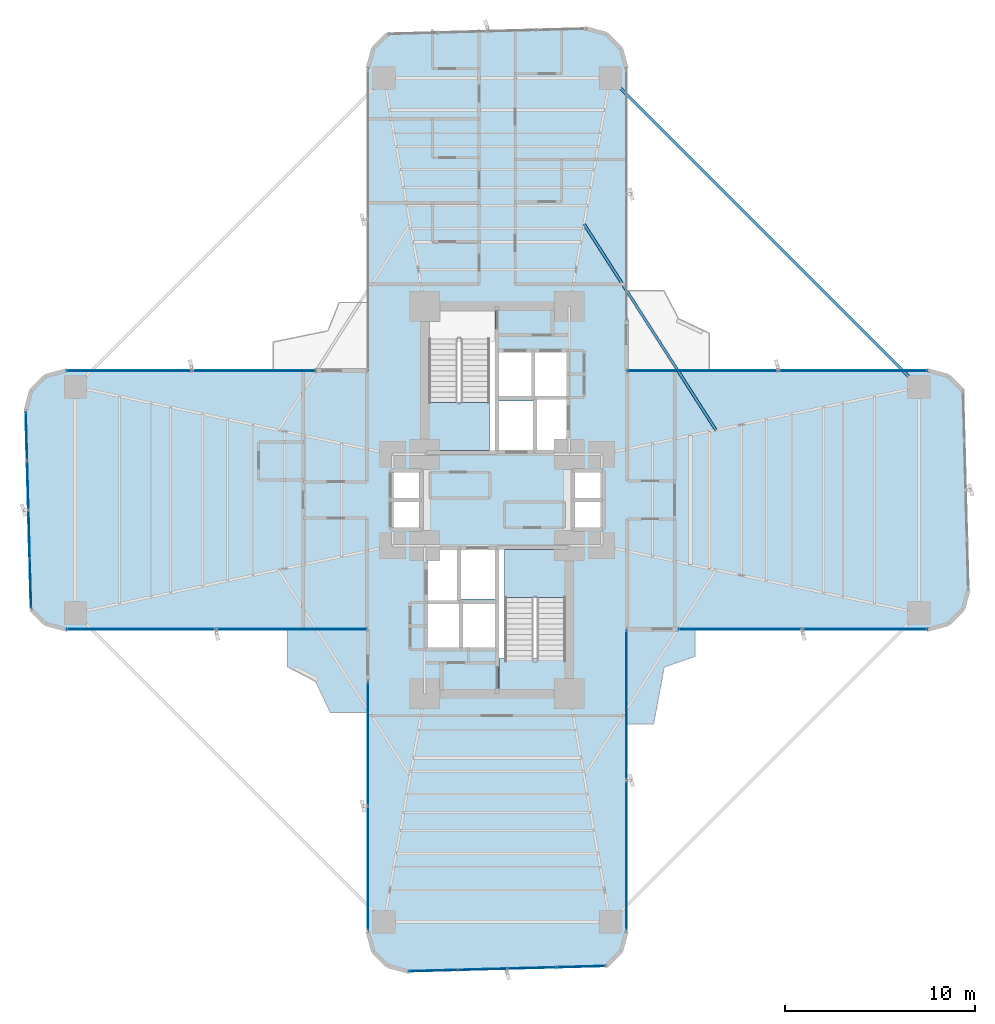
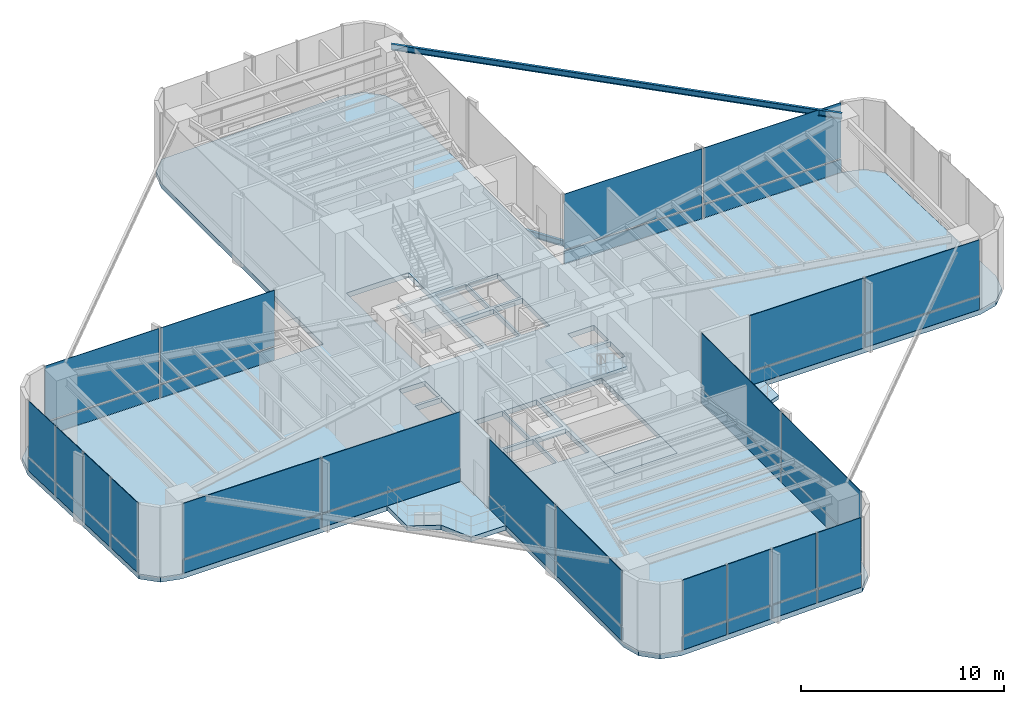
# One storey, part 13 of 20: 40 plates, 6 slabs, 2 beams, 10 elements without a shape of their own.
"""IFC4 building model written with IfcOpenShell, lengths in metres."""

from ifc_helpers import new_model, si_unit, direction, frame, origin, origin_2d, place, context, subcontext, project, spatial, polyline, rectangle, i_section, outline, extrude, source, transform, mapped, material, layer, layer_set, material_profile, profile_set, type_object, element, aggregate, save


model = new_model("IFC4")

# Units and contexts
model_context = context("Model", 3, precision=1e-05, world=origin(), true_north=direction((0.0, 1.0)))
body_context = subcontext(model_context, "Body", "Model", "MODEL_VIEW")
ifc_project = project(units=[si_unit("LENGTHUNIT", "METRE"), si_unit("AREAUNIT", "SQUARE_METRE"), si_unit("VOLUMEUNIT", "CUBIC_METRE"), si_unit("PLANEANGLEUNIT", "RADIAN"), si_unit("MASSUNIT", "GRAM", prefix="KILO")], contexts=[model_context])

# Site, building, storey
site_placement = place(None, origin())
site = spatial("IfcSite", under=ifc_project, at=site_placement, CompositionType="ELEMENT")
building_placement = place(site_placement, origin())
building = spatial("IfcBuilding", under=site, at=building_placement, Name="Sahyath Konkavel Grand Hotel", CompositionType="ELEMENT")
storey_placement = place(building_placement, frame((0.0, 0.0, 46.550048828125)))
storey = spatial("IfcBuildingStorey", under=building, at=storey_placement, Name="L12", CompositionType="ELEMENT", Elevation=46.550048828125)

# Beams
ifc_material_1 = material(Name="Steel E350", Category="steel")
ifc_material_profile_1 = material_profile(ifc_material_1, i_section(OverallWidth=0.139892578125, OverallDepth=0.35009765625, WebThickness=0.008056640625, FlangeThickness=0.01416015625, FilletRadius=0.013916015625, at=origin_2d()), Name="ISMB 350")
ifc_profile_set_1 = profile_set([ifc_material_profile_1], Name="Steel E350")
beam_type_1 = type_object("IfcBeamType", Name="BM-ISMB350", PredefinedType="BEAM", material=ifc_profile_set_1)
shared_shape_1 = source(origin(), body_context, "Body", "SweptSolid", [
    extrude(i_section(OverallWidth=0.139892578125, OverallDepth=0.35009765625, WebThickness=0.008056640625, FlangeThickness=0.01416015625, FilletRadius=0.013916015625, at=origin_2d()), origin(), (0.0, 0.0, 1.0), 22.98095703125),
])
beam_1_placement = place(storey_placement, frame((22.199951171875, 5.949951171875, 4.0849609375), z_axis=(-0.707106781187, 0.707106781187, 0.0), x_axis=(-0.707106781187, -0.707106781187, 0.0)))
element("IfcBeam", 1, at=beam_1_placement, inside=storey, type_object=beam_type_1, Name="L12 Re-Entrant Tie Beam NE", PredefinedType="BEAM", context=body_context, shape_type="MappedRepresentation", body=[
    mapped(shared_shape_1, transform((0.0, 0.0, 0.0), scale=1.0)),
])
ifc_material_profile_2 = material_profile(ifc_material_1, i_section(OverallWidth=0.139892578125, OverallDepth=0.35009765625, WebThickness=0.008056640625, FlangeThickness=0.01416015625, FilletRadius=0.013916015625, at=origin_2d()), Name="ISMB 350")
ifc_profile_set_2 = profile_set([ifc_material_profile_2], Name="Steel E350")
beam_type_2 = type_object("IfcBeamType", Name="BM-BALC-CANT", PredefinedType="BEAM", material=ifc_profile_set_2)
shared_shape_2 = source(origin(), body_context, "Body", "SweptSolid", [
    extrude(i_section(OverallWidth=0.139892578125, OverallDepth=0.35009765625, WebThickness=0.008056640625, FlangeThickness=0.01416015625, FilletRadius=0.013916015625, at=origin_2d()), origin(), (0.0, 0.0, 1.0), 12.871826171875),
])
beam_2_placement = place(storey_placement, frame((11.511962890625, 3.677978515625, -0.47509765625), z_axis=(-0.539003102535, 0.842303778608, 0.0), x_axis=(-0.842303778608, -0.539003102535, 0.0)))
element("IfcBeam", 2, at=beam_2_placement, inside=storey, type_object=beam_type_2, Name="L12 Balcony Cantilever Support Beam NE", PredefinedType="BEAM", context=body_context, shape_type="MappedRepresentation", body=[
    mapped(shared_shape_2, transform((0.0, 0.0, 0.0), scale=1.0)),
])

# Slabs
ifc_material_2 = material(Name="Concrete C40/50", Category="concrete")
ifc_layer_1 = layer(ifc_material_2, 0.300048828125)
ifc_layer_set_1 = layer_set([ifc_layer_1], Name="Concrete C40/50")
slab_type_1 = type_object("IfcSlabType", Name="SLB-300", PredefinedType="FLOOR", material=ifc_layer_set_1)
slab_1_placement = place(storey_placement, frame((0.0, 0.0, -0.300048828125)))
element("IfcSlab", 3, at=slab_1_placement, inside=storey, type_object=slab_type_1, Name="L12 Structural Floor Slab", PredefinedType="FLOOR", context=body_context, shape_type="SweptSolid", body=[
    extrude(outline(polyline([(6.800048828125, -6.800048828125), (22.699951171875, -6.800048828125), (23.75, -6.518798828125), (24.518798828125, -5.75), (24.800048828125, -4.699951171875), (24.518798828125, 5.75), (23.75, 6.518798828125), (22.699951171875, 6.800048828125), (6.800048828125, 6.800048828125), (6.800048828125, 22.699951171875), (6.518798828125, 23.75), (5.75, 24.518798828125), (4.699951171875, 24.800048828125), (-5.75, 24.518798828125), (-6.518798828125, 23.75), (-6.800048828125, 22.699951171875), (-6.800048828125, 6.800048828125), (-22.699951171875, 6.800048828125), (-23.75, 6.518798828125), (-24.518798828125, 5.75), (-24.800048828125, 4.699951171875), (-24.518798828125, -5.75), (-23.75, -6.518798828125), (-22.699951171875, -6.800048828125), (-6.800048828125, -6.800048828125), (-6.800048828125, -22.699951171875), (-6.518798828125, -23.75), (-5.75, -24.518798828125), (-4.699951171875, -24.800048828125), (5.75, -24.518798828125), (6.518798828125, -23.75), (6.800048828125, -22.699951171875), (6.800048828125, -6.800048828125)]), holes=[polyline([(-3.6201171875, 2.580078125), (-0.10009765625, 2.580078125), (-0.10009765625, 10.02001953125), (-3.6201171875, 10.02001953125), (-3.6201171875, 2.580078125)]), polyline([(0.10009765625, -10.02001953125), (3.6201171875, -10.02001953125), (3.6201171875, -2.580078125), (0.10009765625, -2.580078125), (0.10009765625, -10.02001953125)]), polyline([(0.10009765625, 2.60009765625), (1.949951171875, 2.60009765625), (1.949951171875, 5.199951171875), (0.10009765625, 5.199951171875), (0.10009765625, 2.60009765625)]), polyline([(-1.949951171875, -5.199951171875), (-0.10009765625, -5.199951171875), (-0.10009765625, -2.60009765625), (-1.949951171875, -2.60009765625), (-1.949951171875, -5.199951171875)]), polyline([(2.050048828125, 2.60009765625), (3.64990234375, 2.60009765625), (3.64990234375, 5.300048828125), (2.050048828125, 5.300048828125), (2.050048828125, 2.60009765625)]), polyline([(-3.64990234375, -5.300048828125), (-2.050048828125, -5.300048828125), (-2.050048828125, -2.60009765625), (-3.64990234375, -2.60009765625), (-3.64990234375, -5.300048828125)]), polyline([(0.10009765625, 5.449951171875), (1.85009765625, 5.449951171875), (1.85009765625, 7.75), (0.10009765625, 7.75), (0.10009765625, 5.449951171875)]), polyline([(1.949951171875, 5.449951171875), (3.64990234375, 5.449951171875), (3.64990234375, 7.75), (1.949951171875, 7.75), (1.949951171875, 5.449951171875)]), polyline([(-3.64990234375, -7.75), (-1.949951171875, -7.75), (-1.949951171875, -5.449951171875), (-3.64990234375, -5.449951171875), (-3.64990234375, -7.75)]), polyline([(-1.85009765625, -7.75), (-0.10009765625, -7.75), (-0.10009765625, -5.449951171875), (-1.85009765625, -5.449951171875), (-1.85009765625, -7.75)]), polyline([(4.050048828125, 0.080078125), (5.550048828125, 0.080078125), (5.550048828125, 1.5400390625), (4.050048828125, 1.5400390625), (4.050048828125, 0.080078125)]), polyline([(4.050048828125, -1.5400390625), (5.550048828125, -1.5400390625), (5.550048828125, -0.080078125), (4.050048828125, -0.080078125), (4.050048828125, -1.5400390625)]), polyline([(-5.550048828125, 0.080078125), (-4.050048828125, 0.080078125), (-4.050048828125, 1.5400390625), (-5.550048828125, 1.5400390625), (-5.550048828125, 0.080078125)]), polyline([(-5.550048828125, -1.5400390625), (-4.050048828125, -1.5400390625), (-4.050048828125, -0.080078125), (-5.550048828125, -0.080078125), (-5.550048828125, -1.5400390625)])]), origin(), (0.0, 0.0, 1.0), 0.300048828125),
])
ifc_layer_2 = layer(ifc_material_2, 0.219970703125)
ifc_layer_set_2 = layer_set([ifc_layer_2], Name="Concrete C40/50")
slab_type_2 = type_object("IfcSlabType", Name="SLB-BALCONY-220", PredefinedType="FLOOR", material=ifc_layer_set_2)
slab_2_placement = place(storey_placement, frame((0.0, 0.0, -0.219970703125)))
element("IfcSlab", 4, at=slab_2_placement, inside=storey, type_object=slab_type_2, Name="L12 Winter-Garden Balcony SE", PredefinedType="FLOOR", context=body_context, shape_type="SweptSolid", body=[
    extrude(outline(polyline([(6.800048828125, -6.800048828125), (6.800048828125, -11.7958984375), (8.23291015625, -11.7958984375), (8.7900390625, -8.7900390625), (10.404052734375, -8.23291015625), (10.404052734375, -6.800048828125), (6.800048828125, -6.800048828125)])), origin(), (0.0, 0.0, 1.0), 0.219970703125),
])
ifc_layer_3 = layer(ifc_material_2, 0.280029296875)
ifc_layer_set_3 = layer_set([ifc_layer_3], Name="Concrete C40/50")
slab_type_3 = type_object("IfcSlabType", Name="SLB-SKYGARDEN-280", PredefinedType="ROOF", material=ifc_layer_set_3)
slab_3_placement = place(storey_placement, frame((0.0, 0.0, -0.280029296875)))
element("IfcSlab", 5, at=slab_3_placement, inside=storey, type_object=slab_type_3, Name="L12 Planted Sky Garden Terrace SW", PredefinedType="ROOF", context=body_context, shape_type="SweptSolid", body=[
    extrude(outline(polyline([(-6.800048828125, -6.800048828125), (-11.02294921875, -6.800048828125), (-11.02294921875, -8.780029296875), (-9.550048828125, -9.550048828125), (-8.780029296875, -11.177001953125), (-6.800048828125, -11.177001953125), (-6.800048828125, -6.800048828125)])), origin(), (0.0, 0.0, 1.0), 0.280029296875),
])

# Stair, slab
stair_type = type_object("IfcStairType", Name="STR-ST16-450", PredefinedType="HALF_TURN_STAIR", material=ifc_material_2)
stair_1_placement = place(storey_placement, origin())
stair_1 = element("IfcStair", 6, at=stair_1_placement, inside=storey, type_object=stair_type, Name="L12 North Core Smokeproof Exit Stair ST-1", PredefinedType="HALF_TURN_STAIR")
ifc_layer_4 = layer(ifc_material_2, 0.199951171875)
ifc_layer_set_4 = layer_set([ifc_layer_4], Name="Concrete C40/50")
slab_type_4 = type_object("IfcSlabType", Name="SLB-STAIR-LND", PredefinedType="LANDING", material=ifc_layer_set_4)
slab_4_placement = place(storey_placement, frame((0.0, 0.0, 2.050048828125)))
slab_4 = element("IfcSlab", 7, at=slab_4_placement, type_object=slab_type_4, Name="ST-1 landing 1", PredefinedType="LANDING", context=body_context, shape_type="SweptSolid", body=[
    extrude(outline(polyline([(-3.60009765625, 5.1201171875), (-3.60009765625, 2.60009765625), (-0.39990234375, 2.60009765625), (-0.39990234375, 5.1201171875), (-3.60009765625, 5.1201171875)])), origin(), (0.0, 0.0, 1.0), 0.199951171875),
])
aggregate(stair_1, [slab_4])

stair_2_placement = place(storey_placement, origin())
stair_2 = element("IfcStair", 8, at=stair_2_placement, inside=storey, type_object=stair_type, Name="L12 South Core Smokeproof Exit Stair ST-2", PredefinedType="HALF_TURN_STAIR")
slab_5_placement = place(storey_placement, frame((0.0, 0.0, 2.050048828125)))
slab_5 = element("IfcSlab", 9, at=slab_5_placement, type_object=slab_type_4, Name="ST-2 landing 1", PredefinedType="LANDING", context=body_context, shape_type="SweptSolid", body=[
    extrude(outline(polyline([(3.60009765625, -5.1201171875), (3.60009765625, -2.60009765625), (0.39990234375, -2.60009765625), (0.39990234375, -5.1201171875), (3.60009765625, -5.1201171875)])), origin(), (0.0, 0.0, 1.0), 0.199951171875),
])
aggregate(stair_2, [slab_5])

# Slab
slab_6_placement = place(storey_placement, frame((0.0, 0.0, -0.199951171875)))
element("IfcSlab", 10, at=slab_6_placement, inside=storey, type_object=slab_type_4, Name="L12 Stair ST-2 Floor Landing Slab", PredefinedType="LANDING", context=body_context, shape_type="SweptSolid", body=[
    extrude(outline(polyline([(0.10009765625, -10.02001953125), (3.6201171875, -10.02001953125), (3.6201171875, -8.35009765625), (0.10009765625, -8.35009765625), (0.10009765625, -10.02001953125)])), origin(), (0.0, 0.0, 1.0), 0.199951171875),
])

# Curtain wall, plates
ifc_material_3 = material(Name="Anodised Bronze Aluminium & Low-E Glazing", Category="aluminium")
curtain_wall_type = type_object("IfcCurtainWallType", Name="CW-SKYLOBBY", PredefinedType="NOTDEFINED", material=ifc_material_3)
curtain_wall_1_placement = place(storey_placement, origin())
curtain_wall_1 = element("IfcCurtainWall", 11, at=curtain_wall_1_placement, inside=storey, type_object=curtain_wall_type, Name="L12 Unitised Curtain Wall F7", PredefinedType="NOTDEFINED")
ifc_material_4 = material(Name="Warm Buff Sandstone Cladding", Category="masonry")
ifc_layer_5 = layer(ifc_material_4, 0.074951171875)
ifc_layer_set_5 = layer_set([ifc_layer_5], Name="Warm Buff Sandstone Cladding")
plate_type_1 = type_object("IfcPlateType", Name="PNL-SPANDREL-STONE", PredefinedType="SHEET", material=ifc_layer_set_5)
shared_shape_3 = source(origin(), body_context, "Body", "SweptSolid", [
    extrude(rectangle(XDim=7.830078125, YDim=0.074951171875, at=origin_2d()), origin(), (0.0, 0.0, 1.0), 0.77001953125),
])
plate_1_placement = place(storey_placement, frame((18.705078125, 6.800048828125, 0.0400390625), z_axis=(0.0, 0.0, 1.0), x_axis=(-1.0, 0.0, 0.0)))
plate_1 = element("IfcPlate", 12, at=plate_1_placement, type_object=plate_type_1, Name="L12 Sandstone Relief Spandrel Panel F7-0", PredefinedType="SHEET", context=body_context, shape_type="MappedRepresentation", body=[
    mapped(shared_shape_3, transform((0.0, 0.0, 0.0), scale=1.0)),
])
plate_2_placement = place(storey_placement, frame((10.794921875, 6.800048828125, 0.0400390625), z_axis=(0.0, 0.0, 1.0), x_axis=(-1.0, 0.0, 0.0)))
plate_2 = element("IfcPlate", 13, at=plate_2_placement, type_object=plate_type_1, Name="L12 Sandstone Relief Spandrel Panel F7-1", PredefinedType="SHEET", context=body_context, shape_type="MappedRepresentation", body=[
    mapped(shared_shape_3, transform((0.0, 0.0, 0.0), scale=1.0)),
])

curtain_wall_2_placement = place(storey_placement, origin())
curtain_wall_2 = element("IfcCurtainWall", 14, at=curtain_wall_2_placement, inside=storey, type_object=curtain_wall_type, Name="L12 Unitised Curtain Wall F23", PredefinedType="NOTDEFINED")
plate_3_placement = place(storey_placement, frame((-18.705078125, -6.800048828125, 0.0400390625), z_axis=(0.0, 0.0, 1.0), x_axis=(1.0, 0.0, 0.0)))
plate_3 = element("IfcPlate", 15, at=plate_3_placement, type_object=plate_type_1, Name="L12 Sandstone Relief Spandrel Panel F23-0", PredefinedType="SHEET", context=body_context, shape_type="MappedRepresentation", body=[
    mapped(shared_shape_3, transform((0.0, 0.0, 0.0), scale=1.0)),
])
plate_4_placement = place(storey_placement, frame((-10.794921875, -6.800048828125, 0.0400390625), z_axis=(0.0, 0.0, 1.0), x_axis=(1.0, 0.0, 0.0)))
plate_4 = element("IfcPlate", 16, at=plate_4_placement, type_object=plate_type_1, Name="L12 Sandstone Relief Spandrel Panel F23-1", PredefinedType="SHEET", context=body_context, shape_type="MappedRepresentation", body=[
    mapped(shared_shape_3, transform((0.0, 0.0, 0.0), scale=1.0)),
])

curtain_wall_3_placement = place(storey_placement, origin())
curtain_wall_3 = element("IfcCurtainWall", 17, at=curtain_wall_3_placement, inside=storey, type_object=curtain_wall_type, Name="L12 Unitised Curtain Wall F31", PredefinedType="NOTDEFINED")
plate_5_placement = place(storey_placement, frame((6.800048828125, -18.705078125, 0.0400390625), z_axis=(0.0, 0.0, 1.0), x_axis=(0.0, 1.0, 0.0)))
plate_5 = element("IfcPlate", 18, at=plate_5_placement, type_object=plate_type_1, Name="L12 Sandstone Relief Spandrel Panel F31-0", PredefinedType="SHEET", context=body_context, shape_type="MappedRepresentation", body=[
    mapped(shared_shape_3, transform((0.0, 0.0, 0.0), scale=1.0)),
])
plate_6_placement = place(storey_placement, frame((6.800048828125, -10.794921875, 0.0400390625), z_axis=(0.0, 0.0, 1.0), x_axis=(0.0, 1.0, 0.0)))
plate_6 = element("IfcPlate", 19, at=plate_6_placement, type_object=plate_type_1, Name="L12 Sandstone Relief Spandrel Panel F31-1", PredefinedType="SHEET", context=body_context, shape_type="MappedRepresentation", body=[
    mapped(shared_shape_3, transform((0.0, 0.0, 0.0), scale=1.0)),
])

curtain_wall_4_placement = place(storey_placement, origin())
curtain_wall_4 = element("IfcCurtainWall", 20, at=curtain_wall_4_placement, inside=storey, type_object=curtain_wall_type, Name="L12 Unitised Curtain Wall F20", PredefinedType="NOTDEFINED")
shared_shape_4 = source(origin(), body_context, "Body", "SweptSolid", [
    extrude(rectangle(XDim=2.513427734375, YDim=0.074951171875, at=origin_2d()), origin(), (0.0, 0.0, 1.0), 0.77001953125),
])
plate_7_placement = place(storey_placement, frame((-24.763916015625, 3.36376953125, 0.0400390625), z_axis=(0.0, 0.0, 1.0), x_axis=(0.026909728301, -0.999637867691, 0.0)))
plate_7 = element("IfcPlate", 21, at=plate_7_placement, type_object=plate_type_1, Name="L12 Sandstone Relief Spandrel Panel F20-0", PredefinedType="SHEET", context=body_context, shape_type="MappedRepresentation", body=[
    mapped(shared_shape_4, transform((0.0, 0.0, 0.0), scale=1.0)),
])
plate_8_placement = place(storey_placement, frame((-24.694091796875, 0.771240234375, 0.0400390625), z_axis=(0.0, 0.0, 1.0), x_axis=(0.026909728301, -0.999637867691, 0.0)))
plate_8 = element("IfcPlate", 22, at=plate_8_placement, type_object=plate_type_1, Name="L12 Sandstone Relief Spandrel Panel F20-1", PredefinedType="SHEET", context=body_context, shape_type="MappedRepresentation", body=[
    mapped(shared_shape_4, transform((0.0, 0.0, 0.0), scale=1.0)),
])
plate_9_placement = place(storey_placement, frame((-24.62451171875, -1.8212890625, 0.0400390625), z_axis=(0.0, 0.0, 1.0), x_axis=(0.026909728301, -0.999637867691, 0.0)))
plate_9 = element("IfcPlate", 23, at=plate_9_placement, type_object=plate_type_1, Name="L12 Sandstone Relief Spandrel Panel F20-2", PredefinedType="SHEET", context=body_context, shape_type="MappedRepresentation", body=[
    mapped(shared_shape_4, transform((0.0, 0.0, 0.0), scale=1.0)),
])
plate_10_placement = place(storey_placement, frame((-24.5546875, -4.413818359375, 0.0400390625), z_axis=(0.0, 0.0, 1.0), x_axis=(0.026909728301, -0.999637867691, 0.0)))
plate_10 = element("IfcPlate", 24, at=plate_10_placement, type_object=plate_type_1, Name="L12 Sandstone Relief Spandrel Panel F20-3", PredefinedType="SHEET", context=body_context, shape_type="MappedRepresentation", body=[
    mapped(shared_shape_4, transform((0.0, 0.0, 0.0), scale=1.0)),
])

curtain_wall_5_placement = place(storey_placement, origin())
curtain_wall_5 = element("IfcCurtainWall", 25, at=curtain_wall_5_placement, inside=storey, type_object=curtain_wall_type, Name="L12 Unitised Curtain Wall F28", PredefinedType="NOTDEFINED")
plate_11_placement = place(storey_placement, frame((-3.36376953125, -24.763916015625, 0.0400390625), z_axis=(0.0, 0.0, 1.0), x_axis=(0.999637867691, 0.026909728301, 0.0)))
plate_11 = element("IfcPlate", 26, at=plate_11_placement, type_object=plate_type_1, Name="L12 Sandstone Relief Spandrel Panel F28-0", PredefinedType="SHEET", context=body_context, shape_type="MappedRepresentation", body=[
    mapped(shared_shape_4, transform((0.0, 0.0, 0.0), scale=1.0)),
])
plate_12_placement = place(storey_placement, frame((-0.771240234375, -24.694091796875, 0.0400390625), z_axis=(0.0, 0.0, 1.0), x_axis=(0.999637867691, 0.026909728301, 0.0)))
plate_12 = element("IfcPlate", 27, at=plate_12_placement, type_object=plate_type_1, Name="L12 Sandstone Relief Spandrel Panel F28-1", PredefinedType="SHEET", context=body_context, shape_type="MappedRepresentation", body=[
    mapped(shared_shape_4, transform((0.0, 0.0, 0.0), scale=1.0)),
])
plate_13_placement = place(storey_placement, frame((1.8212890625, -24.62451171875, 0.0400390625), z_axis=(0.0, 0.0, 1.0), x_axis=(0.999637867691, 0.026909728301, 0.0)))
plate_13 = element("IfcPlate", 28, at=plate_13_placement, type_object=plate_type_1, Name="L12 Sandstone Relief Spandrel Panel F28-2", PredefinedType="SHEET", context=body_context, shape_type="MappedRepresentation", body=[
    mapped(shared_shape_4, transform((0.0, 0.0, 0.0), scale=1.0)),
])
plate_14_placement = place(storey_placement, frame((4.413818359375, -24.5546875, 0.0400390625), z_axis=(0.0, 0.0, 1.0), x_axis=(0.999637867691, 0.026909728301, 0.0)))
plate_14 = element("IfcPlate", 29, at=plate_14_placement, type_object=plate_type_1, Name="L12 Sandstone Relief Spandrel Panel F28-3", PredefinedType="SHEET", context=body_context, shape_type="MappedRepresentation", body=[
    mapped(shared_shape_4, transform((0.0, 0.0, 0.0), scale=1.0)),
])

curtain_wall_6_placement = place(storey_placement, origin())
curtain_wall_6 = element("IfcCurtainWall", 30, at=curtain_wall_6_placement, inside=storey, type_object=curtain_wall_type, Name="L12 Unitised Curtain Wall F0", PredefinedType="NOTDEFINED")
shared_shape_5 = source(origin(), body_context, "Body", "SweptSolid", [
    extrude(rectangle(XDim=6.47998046875, YDim=0.074951171875, at=origin_2d()), origin(), (0.0, 0.0, 1.0), 0.77001953125),
])
plate_15_placement = place(storey_placement, frame((12.820068359375, -6.800048828125, 0.0400390625), z_axis=(0.0, 0.0, 1.0), x_axis=(1.0, 0.0, 0.0)))
plate_15 = element("IfcPlate", 31, at=plate_15_placement, type_object=plate_type_1, Name="L12 Sandstone Relief Spandrel Panel F0-0", PredefinedType="SHEET", context=body_context, shape_type="MappedRepresentation", body=[
    mapped(shared_shape_5, transform((0.0, 0.0, 0.0), scale=1.0)),
])
plate_16_placement = place(storey_placement, frame((19.3798828125, -6.800048828125, 0.0400390625), z_axis=(0.0, 0.0, 1.0), x_axis=(1.0, 0.0, 0.0)))
plate_16 = element("IfcPlate", 32, at=plate_16_placement, type_object=plate_type_1, Name="L12 Sandstone Relief Spandrel Panel F0-1", PredefinedType="SHEET", context=body_context, shape_type="MappedRepresentation", body=[
    mapped(shared_shape_5, transform((0.0, 0.0, 0.0), scale=1.0)),
])

curtain_wall_7_placement = place(storey_placement, origin())
curtain_wall_7 = element("IfcCurtainWall", 33, at=curtain_wall_7_placement, inside=storey, type_object=curtain_wall_type, Name="L12 Unitised Curtain Wall F16", PredefinedType="NOTDEFINED")
plate_17_placement = place(storey_placement, frame((-12.820068359375, 6.800048828125, 0.0400390625), z_axis=(0.0, 0.0, 1.0), x_axis=(-1.0, 0.0, 0.0)))
plate_17 = element("IfcPlate", 34, at=plate_17_placement, type_object=plate_type_1, Name="L12 Sandstone Relief Spandrel Panel F16-0", PredefinedType="SHEET", context=body_context, shape_type="MappedRepresentation", body=[
    mapped(shared_shape_5, transform((0.0, 0.0, 0.0), scale=1.0)),
])
plate_18_placement = place(storey_placement, frame((-19.3798828125, 6.800048828125, 0.0400390625), z_axis=(0.0, 0.0, 1.0), x_axis=(-1.0, 0.0, 0.0)))
plate_18 = element("IfcPlate", 35, at=plate_18_placement, type_object=plate_type_1, Name="L12 Sandstone Relief Spandrel Panel F16-1", PredefinedType="SHEET", context=body_context, shape_type="MappedRepresentation", body=[
    mapped(shared_shape_5, transform((0.0, 0.0, 0.0), scale=1.0)),
])

curtain_wall_8_placement = place(storey_placement, origin())
curtain_wall_8 = element("IfcCurtainWall", 36, at=curtain_wall_8_placement, inside=storey, type_object=curtain_wall_type, Name="L12 Unitised Curtain Wall F24", PredefinedType="NOTDEFINED")
plate_19_placement = place(storey_placement, frame((-6.800048828125, -12.820068359375, 0.0400390625), z_axis=(0.0, 0.0, 1.0), x_axis=(0.0, -1.0, 0.0)))
plate_19 = element("IfcPlate", 37, at=plate_19_placement, type_object=plate_type_1, Name="L12 Sandstone Relief Spandrel Panel F24-0", PredefinedType="SHEET", context=body_context, shape_type="MappedRepresentation", body=[
    mapped(shared_shape_5, transform((0.0, 0.0, 0.0), scale=1.0)),
])
plate_20_placement = place(storey_placement, frame((-6.800048828125, -19.3798828125, 0.0400390625), z_axis=(0.0, 0.0, 1.0), x_axis=(0.0, -1.0, 0.0)))
plate_20 = element("IfcPlate", 38, at=plate_20_placement, type_object=plate_type_1, Name="L12 Sandstone Relief Spandrel Panel F24-1", PredefinedType="SHEET", context=body_context, shape_type="MappedRepresentation", body=[
    mapped(shared_shape_5, transform((0.0, 0.0, 0.0), scale=1.0)),
])

# Plate
ifc_material_5 = material(Name="Low-E Solar Control Double Glazing", Category="glass")
ifc_layer_6 = layer(ifc_material_5, 0.035888671875)
ifc_layer_set_6 = layer_set([ifc_layer_6], Name="Low-E Solar Control Double Glazing")
plate_type_2 = type_object("IfcPlateType", Name="PNL-VISION-LOWE", PredefinedType="CURTAIN_PANEL", material=ifc_layer_set_6)
shared_shape_6 = source(origin(), body_context, "Body", "SweptSolid", [
    extrude(rectangle(XDim=6.47998046875, YDim=0.035888671875, at=origin_2d()), origin(), (0.0, 0.0, 1.0), 3.330078125),
])
plate_21_placement = place(storey_placement, frame((12.820068359375, -6.800048828125, 0.889892578125), z_axis=(0.0, 0.0, 1.0), x_axis=(1.0, 0.0, 0.0)))
plate_21 = element("IfcPlate", 39, at=plate_21_placement, type_object=plate_type_2, Name="L12 Low-E Vision Glazing Panel F0-0", PredefinedType="CURTAIN_PANEL", context=body_context, shape_type="MappedRepresentation", body=[
    mapped(shared_shape_6, transform((0.0, 0.0, 0.0), scale=1.0)),
])

plate_22_placement = place(storey_placement, frame((19.3798828125, -6.800048828125, 0.889892578125), z_axis=(0.0, 0.0, 1.0), x_axis=(1.0, 0.0, 0.0)))
plate_22 = element("IfcPlate", 40, at=plate_22_placement, type_object=plate_type_2, Name="L12 Low-E Vision Glazing Panel F0-1", PredefinedType="CURTAIN_PANEL", context=body_context, shape_type="MappedRepresentation", body=[
    mapped(shared_shape_6, transform((0.0, 0.0, 0.0), scale=1.0)),
])

aggregate(curtain_wall_6, [plate_15, plate_21, plate_16, plate_22])

plate_23_placement = place(storey_placement, frame((-12.820068359375, 6.800048828125, 0.889892578125), z_axis=(0.0, 0.0, 1.0), x_axis=(-1.0, 0.0, 0.0)))
plate_23 = element("IfcPlate", 41, at=plate_23_placement, type_object=plate_type_2, Name="L12 Low-E Vision Glazing Panel F16-0", PredefinedType="CURTAIN_PANEL", context=body_context, shape_type="MappedRepresentation", body=[
    mapped(shared_shape_6, transform((0.0, 0.0, 0.0), scale=1.0)),
])

plate_24_placement = place(storey_placement, frame((-19.3798828125, 6.800048828125, 0.889892578125), z_axis=(0.0, 0.0, 1.0), x_axis=(-1.0, 0.0, 0.0)))
plate_24 = element("IfcPlate", 42, at=plate_24_placement, type_object=plate_type_2, Name="L12 Low-E Vision Glazing Panel F16-1", PredefinedType="CURTAIN_PANEL", context=body_context, shape_type="MappedRepresentation", body=[
    mapped(shared_shape_6, transform((0.0, 0.0, 0.0), scale=1.0)),
])

aggregate(curtain_wall_7, [plate_17, plate_23, plate_18, plate_24])

plate_25_placement = place(storey_placement, frame((-6.800048828125, -12.820068359375, 0.889892578125), z_axis=(0.0, 0.0, 1.0), x_axis=(0.0, -1.0, 0.0)))
plate_25 = element("IfcPlate", 43, at=plate_25_placement, type_object=plate_type_2, Name="L12 Low-E Vision Glazing Panel F24-0", PredefinedType="CURTAIN_PANEL", context=body_context, shape_type="MappedRepresentation", body=[
    mapped(shared_shape_6, transform((0.0, 0.0, 0.0), scale=1.0)),
])

plate_26_placement = place(storey_placement, frame((-6.800048828125, -19.3798828125, 0.889892578125), z_axis=(0.0, 0.0, 1.0), x_axis=(0.0, -1.0, 0.0)))
plate_26 = element("IfcPlate", 44, at=plate_26_placement, type_object=plate_type_2, Name="L12 Low-E Vision Glazing Panel F24-1", PredefinedType="CURTAIN_PANEL", context=body_context, shape_type="MappedRepresentation", body=[
    mapped(shared_shape_6, transform((0.0, 0.0, 0.0), scale=1.0)),
])

aggregate(curtain_wall_8, [plate_19, plate_25, plate_20, plate_26])

shared_shape_7 = source(origin(), body_context, "Body", "SweptSolid", [
    extrude(rectangle(XDim=2.513427734375, YDim=0.035888671875, at=origin_2d()), origin(), (0.0, 0.0, 1.0), 3.330078125),
])
plate_27_placement = place(storey_placement, frame((-24.763916015625, 3.36376953125, 0.889892578125), z_axis=(0.0, 0.0, 1.0), x_axis=(0.026909728301, -0.999637867691, 0.0)))
plate_27 = element("IfcPlate", 45, at=plate_27_placement, type_object=plate_type_2, Name="L12 Low-E Vision Glazing Panel F20-0", PredefinedType="CURTAIN_PANEL", context=body_context, shape_type="MappedRepresentation", body=[
    mapped(shared_shape_7, transform((0.0, 0.0, 0.0), scale=1.0)),
])

plate_28_placement = place(storey_placement, frame((-24.694091796875, 0.771240234375, 0.889892578125), z_axis=(0.0, 0.0, 1.0), x_axis=(0.026909728301, -0.999637867691, 0.0)))
plate_28 = element("IfcPlate", 46, at=plate_28_placement, type_object=plate_type_2, Name="L12 Low-E Vision Glazing Panel F20-1", PredefinedType="CURTAIN_PANEL", context=body_context, shape_type="MappedRepresentation", body=[
    mapped(shared_shape_7, transform((0.0, 0.0, 0.0), scale=1.0)),
])

plate_29_placement = place(storey_placement, frame((-24.62451171875, -1.8212890625, 0.889892578125), z_axis=(0.0, 0.0, 1.0), x_axis=(0.026909728301, -0.999637867691, 0.0)))
plate_29 = element("IfcPlate", 47, at=plate_29_placement, type_object=plate_type_2, Name="L12 Low-E Vision Glazing Panel F20-2", PredefinedType="CURTAIN_PANEL", context=body_context, shape_type="MappedRepresentation", body=[
    mapped(shared_shape_7, transform((0.0, 0.0, 0.0), scale=1.0)),
])

plate_30_placement = place(storey_placement, frame((-24.5546875, -4.413818359375, 0.889892578125), z_axis=(0.0, 0.0, 1.0), x_axis=(0.026909728301, -0.999637867691, 0.0)))
plate_30 = element("IfcPlate", 48, at=plate_30_placement, type_object=plate_type_2, Name="L12 Low-E Vision Glazing Panel F20-3", PredefinedType="CURTAIN_PANEL", context=body_context, shape_type="MappedRepresentation", body=[
    mapped(shared_shape_7, transform((0.0, 0.0, 0.0), scale=1.0)),
])

aggregate(curtain_wall_4, [plate_7, plate_27, plate_8, plate_28, plate_9, plate_29, plate_10, plate_30])

plate_31_placement = place(storey_placement, frame((-3.36376953125, -24.763916015625, 0.889892578125), z_axis=(0.0, 0.0, 1.0), x_axis=(0.999637867691, 0.026909728301, 0.0)))
plate_31 = element("IfcPlate", 49, at=plate_31_placement, type_object=plate_type_2, Name="L12 Low-E Vision Glazing Panel F28-0", PredefinedType="CURTAIN_PANEL", context=body_context, shape_type="MappedRepresentation", body=[
    mapped(shared_shape_7, transform((0.0, 0.0, 0.0), scale=1.0)),
])

plate_32_placement = place(storey_placement, frame((-0.771240234375, -24.694091796875, 0.889892578125), z_axis=(0.0, 0.0, 1.0), x_axis=(0.999637867691, 0.026909728301, 0.0)))
plate_32 = element("IfcPlate", 50, at=plate_32_placement, type_object=plate_type_2, Name="L12 Low-E Vision Glazing Panel F28-1", PredefinedType="CURTAIN_PANEL", context=body_context, shape_type="MappedRepresentation", body=[
    mapped(shared_shape_7, transform((0.0, 0.0, 0.0), scale=1.0)),
])

plate_33_placement = place(storey_placement, frame((1.8212890625, -24.62451171875, 0.889892578125), z_axis=(0.0, 0.0, 1.0), x_axis=(0.999637867691, 0.026909728301, 0.0)))
plate_33 = element("IfcPlate", 51, at=plate_33_placement, type_object=plate_type_2, Name="L12 Low-E Vision Glazing Panel F28-2", PredefinedType="CURTAIN_PANEL", context=body_context, shape_type="MappedRepresentation", body=[
    mapped(shared_shape_7, transform((0.0, 0.0, 0.0), scale=1.0)),
])

plate_34_placement = place(storey_placement, frame((4.413818359375, -24.5546875, 0.889892578125), z_axis=(0.0, 0.0, 1.0), x_axis=(0.999637867691, 0.026909728301, 0.0)))
plate_34 = element("IfcPlate", 52, at=plate_34_placement, type_object=plate_type_2, Name="L12 Low-E Vision Glazing Panel F28-3", PredefinedType="CURTAIN_PANEL", context=body_context, shape_type="MappedRepresentation", body=[
    mapped(shared_shape_7, transform((0.0, 0.0, 0.0), scale=1.0)),
])

aggregate(curtain_wall_5, [plate_11, plate_31, plate_12, plate_32, plate_13, plate_33, plate_14, plate_34])

shared_shape_8 = source(origin(), body_context, "Body", "SweptSolid", [
    extrude(rectangle(XDim=7.830078125, YDim=0.035888671875, at=origin_2d()), origin(), (0.0, 0.0, 1.0), 3.330078125),
])
plate_35_placement = place(storey_placement, frame((18.705078125, 6.800048828125, 0.889892578125), z_axis=(0.0, 0.0, 1.0), x_axis=(-1.0, 0.0, 0.0)))
plate_35 = element("IfcPlate", 53, at=plate_35_placement, type_object=plate_type_2, Name="L12 Low-E Vision Glazing Panel F7-0", PredefinedType="CURTAIN_PANEL", context=body_context, shape_type="MappedRepresentation", body=[
    mapped(shared_shape_8, transform((0.0, 0.0, 0.0), scale=1.0)),
])

plate_36_placement = place(storey_placement, frame((10.794921875, 6.800048828125, 0.889892578125), z_axis=(0.0, 0.0, 1.0), x_axis=(-1.0, 0.0, 0.0)))
plate_36 = element("IfcPlate", 54, at=plate_36_placement, type_object=plate_type_2, Name="L12 Low-E Vision Glazing Panel F7-1", PredefinedType="CURTAIN_PANEL", context=body_context, shape_type="MappedRepresentation", body=[
    mapped(shared_shape_8, transform((0.0, 0.0, 0.0), scale=1.0)),
])

aggregate(curtain_wall_1, [plate_1, plate_35, plate_2, plate_36])

plate_37_placement = place(storey_placement, frame((-18.705078125, -6.800048828125, 0.889892578125), z_axis=(0.0, 0.0, 1.0), x_axis=(1.0, 0.0, 0.0)))
plate_37 = element("IfcPlate", 55, at=plate_37_placement, type_object=plate_type_2, Name="L12 Low-E Vision Glazing Panel F23-0", PredefinedType="CURTAIN_PANEL", context=body_context, shape_type="MappedRepresentation", body=[
    mapped(shared_shape_8, transform((0.0, 0.0, 0.0), scale=1.0)),
])

plate_38_placement = place(storey_placement, frame((-10.794921875, -6.800048828125, 0.889892578125), z_axis=(0.0, 0.0, 1.0), x_axis=(1.0, 0.0, 0.0)))
plate_38 = element("IfcPlate", 56, at=plate_38_placement, type_object=plate_type_2, Name="L12 Low-E Vision Glazing Panel F23-1", PredefinedType="CURTAIN_PANEL", context=body_context, shape_type="MappedRepresentation", body=[
    mapped(shared_shape_8, transform((0.0, 0.0, 0.0), scale=1.0)),
])

aggregate(curtain_wall_2, [plate_3, plate_37, plate_4, plate_38])

plate_39_placement = place(storey_placement, frame((6.800048828125, -18.705078125, 0.889892578125), z_axis=(0.0, 0.0, 1.0), x_axis=(0.0, 1.0, 0.0)))
plate_39 = element("IfcPlate", 57, at=plate_39_placement, type_object=plate_type_2, Name="L12 Low-E Vision Glazing Panel F31-0", PredefinedType="CURTAIN_PANEL", context=body_context, shape_type="MappedRepresentation", body=[
    mapped(shared_shape_8, transform((0.0, 0.0, 0.0), scale=1.0)),
])

plate_40_placement = place(storey_placement, frame((6.800048828125, -10.794921875, 0.889892578125), z_axis=(0.0, 0.0, 1.0), x_axis=(0.0, 1.0, 0.0)))
plate_40 = element("IfcPlate", 58, at=plate_40_placement, type_object=plate_type_2, Name="L12 Low-E Vision Glazing Panel F31-1", PredefinedType="CURTAIN_PANEL", context=body_context, shape_type="MappedRepresentation", body=[
    mapped(shared_shape_8, transform((0.0, 0.0, 0.0), scale=1.0)),
])

aggregate(curtain_wall_3, [plate_5, plate_39, plate_6, plate_40])

save(model, "model.ifc")
